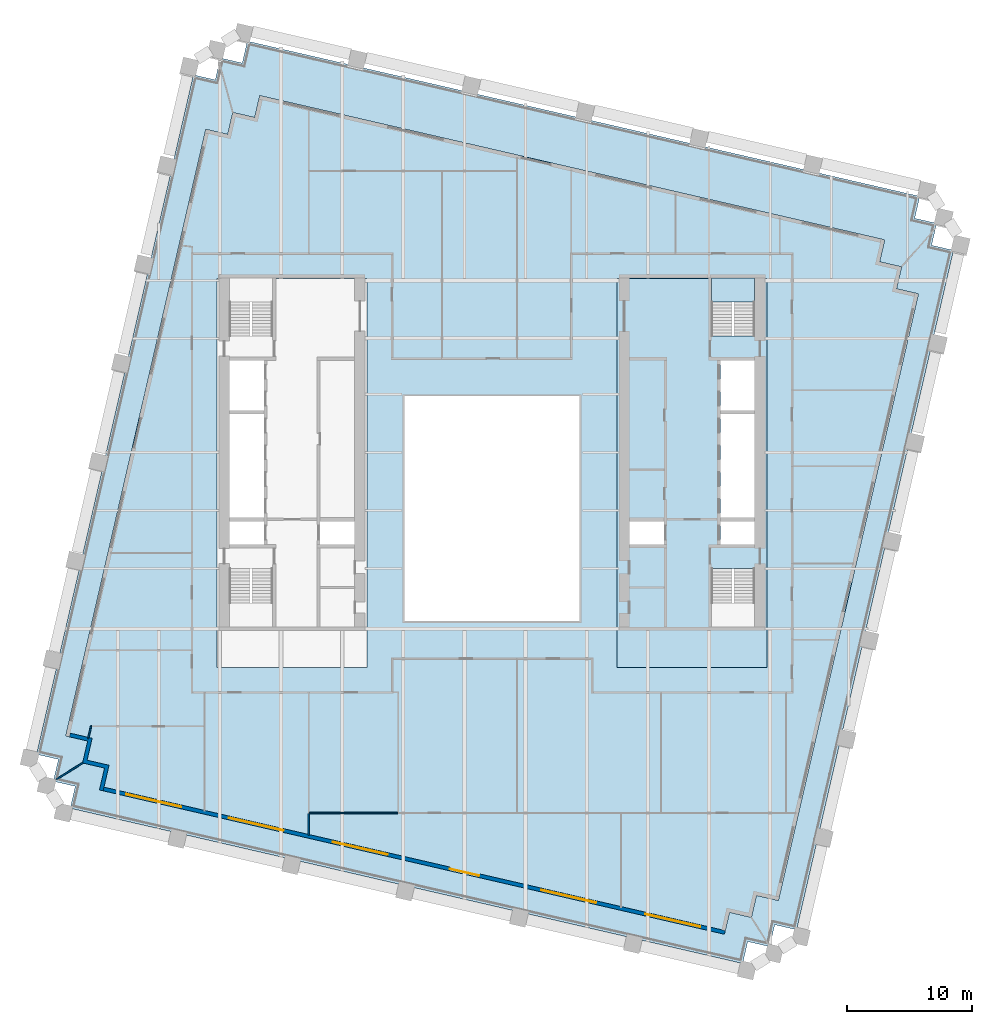
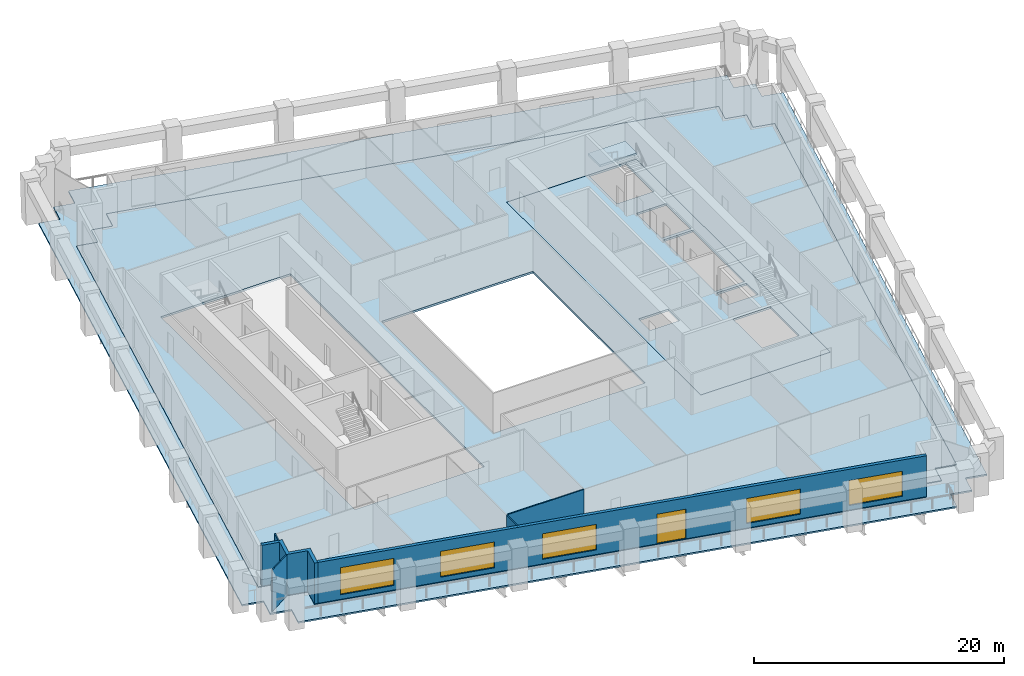
# One storey, part 3 of 9: 6 walls, 5 windows, 4 slabs, 1 door, 6 openings, 1 element without a shape of its own.
"""IFC4 building model written with IfcOpenShell, lengths in metres."""

from ifc_helpers import new_model, si_unit, direction, frame, frame_2d, origin, place, context, subcontext, project, spatial, polyline, rectangle, outline, extrude, material, layer, layer_set, type_object, element, fill, aggregate, save


model = new_model("IFC4")

# Units and contexts
model_context = context("Model", 3, precision=1e-05, world=origin(), true_north=direction((0.0, 1.0)))
body_context = subcontext(model_context, "Body", "Model", "MODEL_VIEW")
ifc_project = project(units=[si_unit("LENGTHUNIT", "METRE"), si_unit("AREAUNIT", "SQUARE_METRE"), si_unit("VOLUMEUNIT", "CUBIC_METRE"), si_unit("PLANEANGLEUNIT", "RADIAN"), si_unit("MASSUNIT", "GRAM", prefix="KILO")], contexts=[model_context])

# Site, building, storey
site_placement = place(None, origin())
site = spatial("IfcSite", under=ifc_project, at=site_placement, CompositionType="ELEMENT")
building_placement = place(site_placement, origin())
building = spatial("IfcBuilding", under=site, at=building_placement, Name="Ogive Exchange Tower", CompositionType="ELEMENT")
storey_placement = place(building_placement, frame((0.0, 0.0, 122.39990234375)))
storey = spatial("IfcBuildingStorey", under=building, at=storey_placement, Name="L26", CompositionType="ELEMENT", Elevation=122.39990234375)

# Slabs
ifc_material_1 = material(Name="Concrete C50/60", Category="concrete")
ifc_layer_1 = layer(ifc_material_1, 0.199951171875)
ifc_layer_set_1 = layer_set([ifc_layer_1], Name="Composite floor slab 200")
slab_type_1 = type_object("IfcSlabType", Name="Composite floor slab 200", PredefinedType="FLOOR", material=ifc_layer_set_1)
slab_1_placement = place(storey_placement, frame((0.0, 0.0, -0.199951171875)))
element("IfcSlab", 1, at=slab_1_placement, inside=storey, type_object=slab_type_1, Name="Composite floor slab", PredefinedType="FLOOR", context=body_context, shape_type="SweptSolid", body=[
    extrude(outline(polyline([(-30.998779296875, -13.74560546875), (-32.752685546875, -13.3408203125), (-32.34765625, -11.5869140625), (-34.1015625, -11.181884765625), (-22.89892578125, 37.341552734375), (-21.145263671875, 36.936767578125), (-20.740234375, 38.690673828125), (-18.986328125, 38.28564453125), (-18.58154296875, 40.03955078125), (31.40380859375, 28.49951171875), (30.998779296875, 26.74560546875), (32.752685546875, 26.3408203125), (32.34765625, 24.5869140625), (34.1015625, 24.181884765625), (22.89892578125, -24.341552734375), (21.145263671875, -23.936767578125), (20.740234375, -25.690673828125), (18.986328125, -25.28564453125), (18.58154296875, -27.03955078125), (-31.40380859375, -15.49951171875), (-30.998779296875, -13.74560546875)]), holes=[polyline([(7.0, -2.0), (7.0, 16.0), (-7.0, 16.0), (-7.0, -2.0), (7.0, -2.0)]), polyline([(-22.0, -5.699951171875), (-10.0, -5.699951171875), (-10.0, 25.39990234375), (-22.0, 25.39990234375), (-22.0, -5.699951171875)]), polyline([(10.0, -5.699951171875), (22.0, -5.699951171875), (22.0, 25.39990234375), (10.0, 25.39990234375), (10.0, -5.699951171875)])]), origin(), (0.0, 0.0, 1.0), 0.199951171875),
])
ifc_material_2 = material(Name="Concrete C70/85", Category="concrete")
ifc_layer_2 = layer(ifc_material_2, 0.199951171875)
ifc_layer_set_2 = layer_set([ifc_layer_2], Name="Core floor slab 200")
slab_type_2 = type_object("IfcSlabType", Name="Core floor slab 200", PredefinedType="FLOOR", material=ifc_layer_set_2)
slab_2_placement = place(storey_placement, frame((0.0, 0.0, -0.199951171875)))
element("IfcSlab", 2, at=slab_2_placement, inside=storey, type_object=slab_type_2, Name="Core floor slab", PredefinedType="FLOOR", context=body_context, shape_type="SweptSolid", body=[
    extrude(outline(polyline([(22.0, 25.39990234375), (22.0, -5.699951171875), (10.0, -5.699951171875), (10.0, 25.39990234375), (17.550048828125, 25.39990234375), (17.550048828125, 20.803955078125), (21.0, 20.803955078125), (21.0, 25.39990234375), (22.0, 25.39990234375)]), holes=[polyline([(21.0, 2.196044921875), (17.550048828125, 2.196044921875), (17.550048828125, -2.449951171875), (21.0, -2.449951171875), (21.0, 2.196044921875)]), polyline([(13.75, 5.992919921875), (11.0, 5.992919921875), (11.0, 4.14990234375), (13.75, 4.14990234375), (13.75, 5.992919921875)]), polyline([(21.0, 5.992919921875), (18.25, 5.992919921875), (18.25, 4.14990234375), (21.0, 4.14990234375), (21.0, 5.992919921875)]), polyline([(18.25, 14.564208984375), (18.25, 6.29296875), (21.0, 6.29296875), (21.0, 14.564208984375), (18.25, 14.564208984375)]), polyline([(21.0, 18.85009765625), (18.25, 18.85009765625), (18.25, 14.8642578125), (21.0, 14.8642578125), (21.0, 18.85009765625)])]), origin(), (0.0, 0.0, 1.0), 0.199951171875),
])
ifc_layer_3 = layer(ifc_material_1, 0.14990234375)
ifc_layer_set_3 = layer_set([ifc_layer_3], Name="Loggia deck 150")
slab_type_3 = type_object("IfcSlabType", Name="Loggia deck 150", PredefinedType="FLOOR", material=ifc_layer_set_3)
slab_3_placement = place(storey_placement, frame((0.0, 0.0, -0.199951171875)))
element("IfcSlab", 3, at=slab_3_placement, inside=storey, type_object=slab_type_3, Name="Loggia deck", PredefinedType="FLOOR", context=body_context, shape_type="SweptSolid", body=[
    extrude(outline(polyline([(-33.33740234375, -15.20703125), (-35.09130859375, -14.802001953125), (-34.686279296875, -13.04833984375), (-36.440185546875, -12.643310546875), (-23.89404296875, 41.699951171875), (-22.140380859375, 41.294921875), (-21.7353515625, 43.048828125), (-19.9814453125, 42.64404296875), (-19.57666015625, 44.397705078125), (34.20849609375, 31.98046875), (33.8037109375, 30.226806640625), (35.5576171875, 29.82177734375), (35.152587890625, 28.06787109375), (36.906494140625, 27.6630859375), (24.3603515625, -26.680419921875), (22.6064453125, -26.275390625), (22.20166015625, -28.029296875), (20.44775390625, -27.62451171875), (20.04296875, -29.378173828125), (-33.742431640625, -16.9609375), (-33.33740234375, -15.20703125)]), holes=[polyline([(18.986328125, -25.28564453125), (20.740234375, -25.690673828125), (21.145263671875, -23.936767578125), (22.89892578125, -24.341552734375), (34.1015625, 24.181884765625), (32.34765625, 24.5869140625), (32.752685546875, 26.3408203125), (30.998779296875, 26.74560546875), (31.40380859375, 28.49951171875), (-18.58154296875, 40.03955078125), (-18.986328125, 38.28564453125), (-20.740234375, 38.690673828125), (-21.145263671875, 36.936767578125), (-22.89892578125, 37.341552734375), (-34.1015625, -11.181884765625), (-32.34765625, -11.5869140625), (-32.752685546875, -13.3408203125), (-30.998779296875, -13.74560546875), (-31.40380859375, -15.49951171875), (18.58154296875, -27.03955078125), (18.986328125, -25.28564453125)])]), origin(), (0.0, 0.0, 1.0), 0.150146484375),
])

# Stair, slab
ifc_material_3 = material(Name="Concrete C40/50", Category="concrete")
stair_type = type_object("IfcStairType", Name="Exit stair 1650 wide", PredefinedType="HALF_TURN_STAIR", material=ifc_material_3)
stair_placement = place(storey_placement, origin())
stair = element("IfcStair", 4, at=stair_placement, inside=storey, type_object=stair_type, Name="L26 exit stair ST4", PredefinedType="HALF_TURN_STAIR")
ifc_layer_4 = layer(ifc_material_3, 0.199951171875)
ifc_layer_set_4 = layer_set([ifc_layer_4], Name="Stair landing 200 slab")
slab_type_4 = type_object("IfcSlabType", Name="Stair landing 200 slab", PredefinedType="LANDING", material=ifc_layer_set_4)
slab_4_placement = place(storey_placement, frame((0.0, 0.0, 1.900146484375)))
slab_4 = element("IfcSlab", 5, at=slab_4_placement, type_object=slab_type_4, Name="ST4 landing 1", PredefinedType="LANDING", context=body_context, shape_type="SweptSolid", body=[
    extrude(outline(polyline([(21.0, 23.550048828125), (21.0, 25.449951171875), (17.550048828125, 25.449951171875), (17.550048828125, 23.550048828125), (21.0, 23.550048828125)])), origin(), (0.0, 0.0, 1.0), 0.199951171875),
])
aggregate(stair, [slab_4])

# Wall, openings, door, windows
ifc_material_4 = material(Name="Precast concrete C40/50", Category="concrete")
ifc_layer_5 = layer(ifc_material_4, 0.300048828125)
ifc_layer_set_5 = layer_set([ifc_layer_5], Name="Limestone-faced wall 300")
wall_type_1 = type_object("IfcWallType", Name="Limestone-faced wall 300", PredefinedType="STANDARD", material=ifc_layer_set_5)
wall_1_placement = place(storey_placement, frame((-31.07763671875, -15.4208984375, 0.0), z_axis=(0.0, 0.0, 1.0), x_axis=(0.974370456532, -0.224949357493, 0.0)))
wall_1 = element("IfcWall", 6, at=wall_1_placement, inside=storey, type_object=wall_type_1, Name="External wall S1", PredefinedType="STANDARD", context=body_context, shape_type="SweptSolid", body=[
    extrude(rectangle(XDim=51.0, YDim=0.300048828125, at=frame_2d((25.5, 0.0))), origin(), (0.0, 0.0, 1.0), 4.0),
])
opening_1_placement = place(wall_1_placement, frame((1.875, 0.0, 0.449951171875)))
opening_1 = element("IfcOpeningElement", 7, at=opening_1_placement, cuts=wall_1, Name="Opening W1K", PredefinedType="OPENING", context=body_context, shape_type="SweptSolid", body=[
    extrude(rectangle(XDim=4.5, YDim=2.64990234375, at=frame_2d((2.25, 1.324951171875))), frame((0.0, 0.159912109375, 0.0), z_axis=(0.0, -1.0, 0.0), x_axis=(1.0, 0.0, 0.0)), (0.0, 0.0, 1.0), 0.320068359375),
])
opening_2_placement = place(wall_1_placement, frame((10.27490234375, 0.0, 0.449951171875)))
opening_2 = element("IfcOpeningElement", 8, at=opening_2_placement, cuts=wall_1, Name="Opening W1N", PredefinedType="OPENING", context=body_context, shape_type="SweptSolid", body=[
    extrude(rectangle(XDim=4.5, YDim=2.52490234375, at=frame_2d((2.25, 1.262451171875))), frame((0.0, 0.159912109375, 0.0), z_axis=(0.0, -1.0, 0.0), x_axis=(1.0, 0.0, 0.0)), (0.0, 0.0, 1.0), 0.320068359375),
])
opening_3_placement = place(wall_1_placement, frame((18.824951171875, 0.0, 0.449951171875)))
opening_3 = element("IfcOpeningElement", 9, at=opening_3_placement, cuts=wall_1, Name="Opening W1O", PredefinedType="OPENING", context=body_context, shape_type="SweptSolid", body=[
    extrude(rectangle(XDim=4.5, YDim=2.5, at=frame_2d((2.25, 1.25))), frame((0.0, 0.159912109375, 0.0), z_axis=(0.0, -1.0, 0.0), x_axis=(1.0, 0.0, 0.0)), (0.0, 0.0, 1.0), 0.320068359375),
])
opening_4_placement = place(wall_1_placement, frame((28.425048828125, 0.0, 0.0)))
opening_4 = element("IfcOpeningElement", 10, at=opening_4_placement, cuts=wall_1, Name="Opening D1P", PredefinedType="OPENING", context=body_context, shape_type="SweptSolid", body=[
    extrude(rectangle(XDim=2.39990234375, YDim=2.89990234375, at=frame_2d((1.199951171875, 1.449951171875))), frame((0.0, 0.159912109375, 0.0), z_axis=(0.0, -1.0, 0.0), x_axis=(1.0, 0.0, 0.0)), (0.0, 0.0, 1.0), 0.320068359375),
])
opening_5_placement = place(wall_1_placement, frame((35.925048828125, 0.0, 0.449951171875)))
opening_5 = element("IfcOpeningElement", 11, at=opening_5_placement, cuts=wall_1, Name="Opening W1Q", PredefinedType="OPENING", context=body_context, shape_type="SweptSolid", body=[
    extrude(rectangle(XDim=4.5, YDim=2.449951171875, at=frame_2d((2.25, 1.22509765625))), frame((0.0, 0.159912109375, 0.0), z_axis=(0.0, -1.0, 0.0), x_axis=(1.0, 0.0, 0.0)), (0.0, 0.0, 1.0), 0.320068359375),
])
opening_6_placement = place(wall_1_placement, frame((44.47509765625, 0.0, 0.449951171875)))
opening_6 = element("IfcOpeningElement", 12, at=opening_6_placement, cuts=wall_1, Name="Opening W1Q", PredefinedType="OPENING", context=body_context, shape_type="SweptSolid", body=[
    extrude(rectangle(XDim=4.5, YDim=2.449951171875, at=frame_2d((2.25, 1.22509765625))), frame((0.0, 0.159912109375, 0.0), z_axis=(0.0, -1.0, 0.0), x_axis=(1.0, 0.0, 0.0)), (0.0, 0.0, 1.0), 0.320068359375),
])
ifc_material_5 = material(Name="Clear glass in bronze frame", Category="glass")
door_type = type_object("IfcDoorType", Name="Sliding loggia door 2400 x 2900", OperationType="DOUBLE_DOOR_SLIDING", PredefinedType="DOOR", material=ifc_material_5)
door_placement = place(opening_4_placement, origin())
door = element("IfcDoor", 13, at=door_placement, inside=storey, type_object=door_type, Name="Loggia door S03", OperationType="DOUBLE_DOOR_SLIDING", OverallHeight=2.89990234375, OverallWidth=2.39990234375, PredefinedType="DOOR", context=body_context, shape_type="SweptSolid", body=[
    extrude(rectangle(XDim=2.39990234375, YDim=2.89990234375, at=frame_2d((1.199951171875, 1.449951171875))), frame((0.0, 0.02490234375, 0.0), z_axis=(0.0, -1.0, 0.0), x_axis=(1.0, 0.0, 0.0)), (0.0, 0.0, 1.0), 0.050048828125),
])
fill(opening_4, door)
window_type_1 = type_object("IfcWindowType", Name="Twin lancet window 4500 x 2450", PartitioningType="DOUBLE_PANEL_VERTICAL", PredefinedType="WINDOW", material=ifc_material_5)
window_1_placement = place(opening_5_placement, origin())
window_1 = element("IfcWindow", 14, at=window_1_placement, inside=storey, type_object=window_type_1, Name="Window S04", OverallHeight=2.449951171875, OverallWidth=4.5, PartitioningType="DOUBLE_PANEL_VERTICAL", PredefinedType="WINDOW", context=body_context, shape_type="SweptSolid", body=[
    extrude(rectangle(XDim=4.5, YDim=2.449951171875, at=frame_2d((2.25, 1.22509765625))), frame((0.0, 0.030029296875, 0.0), z_axis=(0.0, -1.0, 0.0), x_axis=(1.0, 0.0, 0.0)), (0.0, 0.0, 1.0), 0.06005859375),
])
fill(opening_5, window_1)
window_2_placement = place(opening_6_placement, origin())
window_2 = element("IfcWindow", 15, at=window_2_placement, inside=storey, type_object=window_type_1, Name="Window S05", OverallHeight=2.449951171875, OverallWidth=4.5, PartitioningType="DOUBLE_PANEL_VERTICAL", PredefinedType="WINDOW", context=body_context, shape_type="SweptSolid", body=[
    extrude(rectangle(XDim=4.5, YDim=2.449951171875, at=frame_2d((2.25, 1.22509765625))), frame((0.0, 0.030029296875, 0.0), z_axis=(0.0, -1.0, 0.0), x_axis=(1.0, 0.0, 0.0)), (0.0, 0.0, 1.0), 0.06005859375),
])
fill(opening_6, window_2)
window_type_2 = type_object("IfcWindowType", Name="Twin lancet window 4500 x 2500", PartitioningType="DOUBLE_PANEL_VERTICAL", PredefinedType="WINDOW", material=ifc_material_5)
window_3_placement = place(opening_3_placement, origin())
window_3 = element("IfcWindow", 16, at=window_3_placement, inside=storey, type_object=window_type_2, Name="Window S02", OverallHeight=2.5, OverallWidth=4.5, PartitioningType="DOUBLE_PANEL_VERTICAL", PredefinedType="WINDOW", context=body_context, shape_type="SweptSolid", body=[
    extrude(rectangle(XDim=4.5, YDim=2.5, at=frame_2d((2.25, 1.25))), frame((0.0, 0.030029296875, 0.0), z_axis=(0.0, -1.0, 0.0), x_axis=(1.0, 0.0, 0.0)), (0.0, 0.0, 1.0), 0.06005859375),
])
fill(opening_3, window_3)
window_type_3 = type_object("IfcWindowType", Name="Twin lancet window 4500 x 2525", PartitioningType="DOUBLE_PANEL_VERTICAL", PredefinedType="WINDOW", material=ifc_material_5)
window_4_placement = place(opening_2_placement, origin())
window_4 = element("IfcWindow", 17, at=window_4_placement, inside=storey, type_object=window_type_3, Name="Window S01", OverallHeight=2.52490234375, OverallWidth=4.5, PartitioningType="DOUBLE_PANEL_VERTICAL", PredefinedType="WINDOW", context=body_context, shape_type="SweptSolid", body=[
    extrude(rectangle(XDim=4.5, YDim=2.52490234375, at=frame_2d((2.25, 1.262451171875))), frame((0.0, 0.030029296875, 0.0), z_axis=(0.0, -1.0, 0.0), x_axis=(1.0, 0.0, 0.0)), (0.0, 0.0, 1.0), 0.06005859375),
])
fill(opening_2, window_4)
window_type_4 = type_object("IfcWindowType", Name="Twin lancet window 4500 x 2650", PartitioningType="DOUBLE_PANEL_VERTICAL", PredefinedType="WINDOW", material=ifc_material_5)
window_5_placement = place(opening_1_placement, origin())
window_5 = element("IfcWindow", 18, at=window_5_placement, inside=storey, type_object=window_type_4, Name="Window S00", OverallHeight=2.64990234375, OverallWidth=4.5, PartitioningType="DOUBLE_PANEL_VERTICAL", PredefinedType="WINDOW", context=body_context, shape_type="SweptSolid", body=[
    extrude(rectangle(XDim=4.5, YDim=2.64990234375, at=frame_2d((2.25, 1.324951171875))), frame((0.0, 0.030029296875, 0.0), z_axis=(0.0, -1.0, 0.0), x_axis=(1.0, 0.0, 0.0)), (0.0, 0.0, 1.0), 0.06005859375),
])
fill(opening_1, window_5)

# Walls
wall_2_placement = place(storey_placement, origin())
element("IfcWall", 19, at=wall_2_placement, inside=storey, type_object=wall_type_1, Name="External corner wall C4", PredefinedType="STANDARD", context=body_context, shape_type="SweptSolid", body=[
    extrude(outline(polyline([(-32.392822265625, -13.115966796875), (-30.638916015625, -13.52099609375), (-31.111328125, -15.56689453125), (-31.40380859375, -15.49951171875), (-30.998779296875, -13.74560546875), (-32.752685546875, -13.3408203125), (-32.34765625, -11.5869140625), (-33.809326171875, -11.24951171875), (-33.74169921875, -10.957275390625), (-31.98779296875, -11.362060546875), (-32.392822265625, -13.115966796875)])), origin(), (0.0, 0.0, 1.0), 4.0),
])
ifc_material_6 = material(Name="Laminated safety glass in steel frame", Category="steel")
ifc_layer_6 = layer(ifc_material_6, 0.10009765625)
ifc_layer_set_6 = layer_set([ifc_layer_6], Name="Loggia end screen 100")
wall_type_2 = type_object("IfcWallType", Name="Loggia end screen 100", PredefinedType="STANDARD", material=ifc_layer_set_6)
wall_3_placement = place(storey_placement, frame((-32.752685546875, -13.3408203125, -0.0498046875), z_axis=(0.0, 0.0, 1.0), x_axis=(-0.848059759764, -0.529900598103, 0.0)))
element("IfcWall", 20, at=wall_3_placement, inside=storey, type_object=wall_type_2, Name="Loggia end screen C4", PredefinedType="STANDARD", context=body_context, shape_type="SweptSolid", body=[
    extrude(rectangle(XDim=2.454833984375, YDim=0.10009765625, at=frame_2d((1.2275390625, 0.0))), origin(), (0.0, 0.0, 1.0), 4.0498046875),
])
ifc_material_7 = material(Name="Partition 100 gypsum")
ifc_layer_7 = layer(ifc_material_7, 0.10009765625)
ifc_layer_set_7 = layer_set([ifc_layer_7], Name="Partition 100 gypsum")
wall_type_3 = type_object("IfcWallType", Name="Partition 100 gypsum", PredefinedType="PARTITIONING", material=ifc_layer_set_7)
wall_4_placement = place(storey_placement, frame((-32.069091796875, -10.361083984375, 0.0), z_axis=(0.0, 0.0, 1.0), x_axis=(-0.222987762652, -0.974821243976, 0.0)))
element("IfcWall", 21, at=wall_4_placement, inside=storey, type_object=wall_type_3, Name="L26-PWL-001", PredefinedType="PARTITIONING", context=body_context, shape_type="SweptSolid", body=[
    extrude(rectangle(XDim=1.0576171875, YDim=0.10009765625, at=frame_2d((0.52880859375, 0.0))), origin(), (0.0, 0.0, 1.0), 4.0),
])
wall_5_placement = place(storey_placement, frame((-14.669921875, -19.137939453125, 0.0), z_axis=(0.0, 0.0, 1.0), x_axis=(0.0, 1.0, 0.0)))
element("IfcWall", 22, at=wall_5_placement, inside=storey, type_object=wall_type_3, Name="L26-PWL-014", PredefinedType="PARTITIONING", context=body_context, shape_type="SweptSolid", body=[
    extrude(rectangle(XDim=1.748046875, YDim=0.10009765625, at=frame_2d((0.8740234375, 0.0))), origin(), (0.0, 0.0, 1.0), 4.0),
])
wall_6_placement = place(storey_placement, frame((-14.6201171875, -17.340087890625, 0.0), z_axis=(0.0, 0.0, 1.0), x_axis=(1.0, 0.0, 0.0)))
element("IfcWall", 23, at=wall_6_placement, inside=storey, type_object=wall_type_3, Name="L26-PWL-016", PredefinedType="PARTITIONING", context=body_context, shape_type="SweptSolid", body=[
    extrude(rectangle(XDim=7.070068359375, YDim=0.10009765625, at=frame_2d((3.53515625, 0.0))), origin(), (0.0, 0.0, 1.0), 4.0),
])

save(model, "model.ifc")
